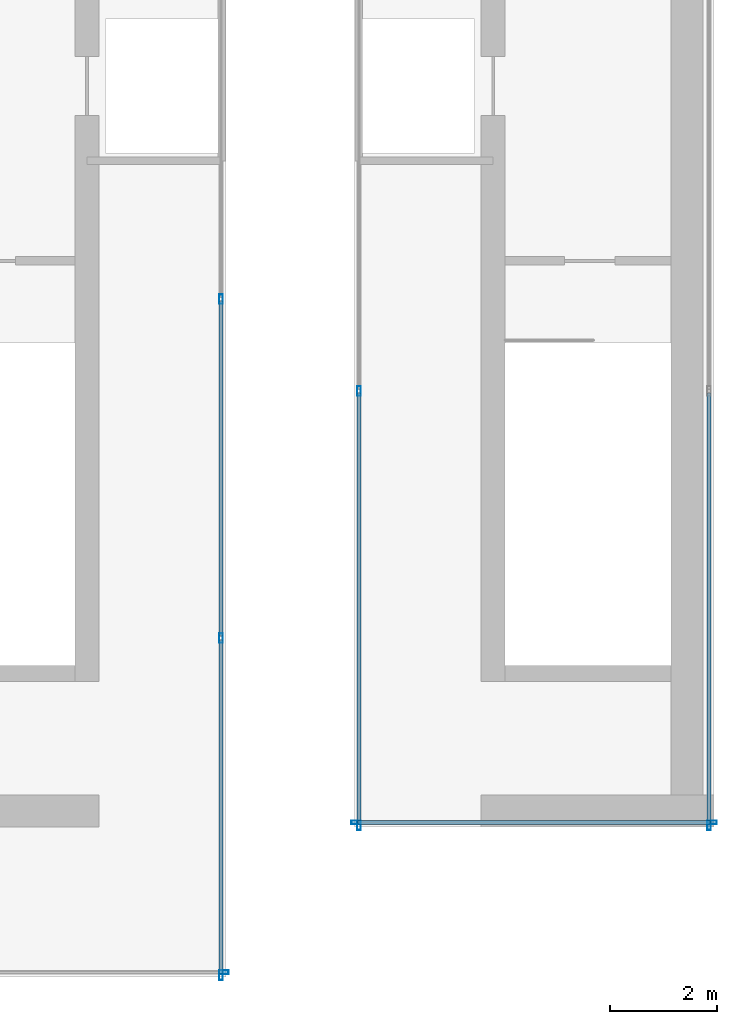
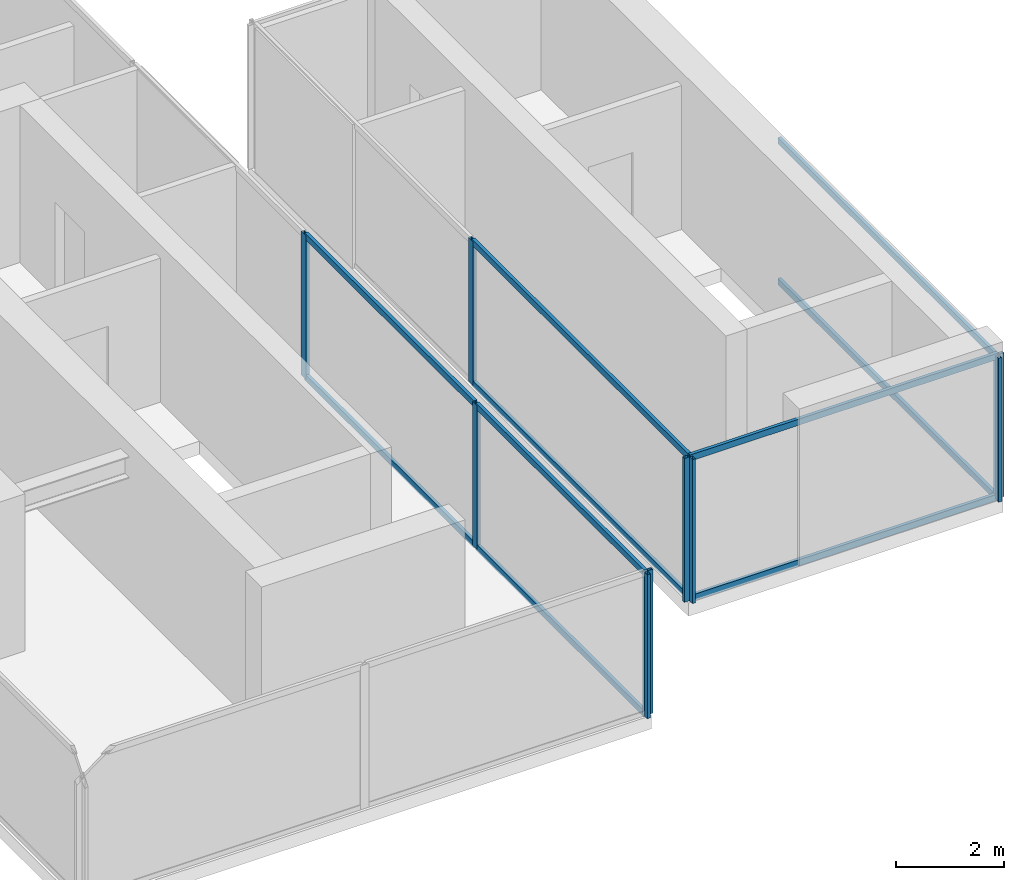
# One storey, part 5 of 16: 19 members, 5 elements without a shape of their own.
"""IFC4 building model written with IfcOpenShell, lengths in metres."""

from ifc_helpers import new_model, si_unit, direction, frame, origin, origin_2d, place, context, subcontext, project, spatial, hollow_rectangle, extrude, source, transform, mapped, material, material_profile, profile_set, type_object, type_shapes, element, aggregate, save


model = new_model("IFC4")

# Units and contexts
model_context = context("Model", 3, precision=1e-05, world=origin(), true_north=direction((0.0, 1.0)))
body_context = subcontext(model_context, "Body", "Model", "MODEL_VIEW")
ifc_project = project(units=[si_unit("LENGTHUNIT", "METRE"), si_unit("AREAUNIT", "SQUARE_METRE"), si_unit("VOLUMEUNIT", "CUBIC_METRE"), si_unit("PLANEANGLEUNIT", "RADIAN"), si_unit("MASSUNIT", "GRAM", prefix="KILO")], contexts=[model_context])

# Site, building, storey
site_placement = place(None, origin())
site = spatial("IfcSite", under=ifc_project, at=site_placement, CompositionType="ELEMENT")
building_placement = place(site_placement, origin())
building = spatial("IfcBuilding", under=site, at=building_placement, Name="Krantzveldt Concourse Tower", CompositionType="ELEMENT")
storey_placement = place(building_placement, frame((0.0, 0.0, 385.449951171875)))
storey = spatial("IfcBuildingStorey", under=building, at=storey_placement, Name="L95", CompositionType="ELEMENT", Elevation=385.449951171875)

# Curtain wall, members
ifc_material = material(Name="Anodised aluminium 6063-T6", Category="aluminium")
curtain_wall_type = type_object("IfcCurtainWallType", Name="CW7", PredefinedType="USERDEFINED", material=ifc_material)
curtain_wall_1_placement = place(storey_placement, origin())
curtain_wall_1 = element("IfcCurtainWall", 1, at=curtain_wall_1_placement, inside=storey, type_object=curtain_wall_type, Name="CW-L95-WEST-01", ObjectType="UNITISED CURTAIN WALL", PredefinedType="USERDEFINED")
ifc_material_profile_1 = material_profile(ifc_material, hollow_rectangle(XDim=0.070068359375, YDim=0.139892578125, WallThickness=0.0048828125, at=origin_2d()), Name="Anodised aluminium 6063-T6", Category="aluminium")
ifc_profile_set_1 = profile_set([ifc_material_profile_1], Name="Anodised aluminium 6063-T6 - ALU-TRAN 140x70x5")
member_type_1 = type_object("IfcMemberType", Name="CW-TRN-150", PredefinedType="USERDEFINED", material=ifc_profile_set_1)
shared_shape_1 = source(origin(), body_context, "Body", "SweptSolid", [
    extrude(hollow_rectangle(XDim=0.070068359375, YDim=0.139892578125, WallThickness=0.0048828125, at=origin_2d()), origin(), (0.0, 0.0, 1.0), 6.228271484375),
])
member_1_placement = place(storey_placement, frame((34.7099609375, 7.77001953125, 0.03515625), z_axis=(0.0, 1.0, 0.0), x_axis=(-1.0, 0.0, 0.0)))
member_1 = element("IfcMember", 2, at=member_1_placement, type_object=member_type_1, Name="CW-CRN transom 1.1", ObjectType="TRANSOM", PredefinedType="USERDEFINED", context=body_context, shape_type="MappedRepresentation", body=[
    mapped(shared_shape_1, transform((0.0, 0.0, 0.0), x_axis=(1.0, 0.0, 0.0), y_axis=(0.0, 1.0, 0.0), z_axis=(0.0, 0.0, 1.0), scale=1.0)),
])
member_2_placement = place(storey_placement, frame((34.7099609375, 7.77001953125, 3.215087890625), z_axis=(0.0, 1.0, 0.0), x_axis=(-1.0, 0.0, 0.0)))
member_2 = element("IfcMember", 3, at=member_2_placement, type_object=member_type_1, Name="CW-CRN transom 1.2", ObjectType="TRANSOM", PredefinedType="USERDEFINED", context=body_context, shape_type="MappedRepresentation", body=[
    mapped(shared_shape_1, transform((0.0, 0.0, 0.0), x_axis=(1.0, 0.0, 0.0), y_axis=(0.0, 1.0, 0.0), z_axis=(0.0, 0.0, 1.0), scale=1.0)),
])
shared_shape_2 = source(origin(), body_context, "Body", "SweptSolid", [
    extrude(hollow_rectangle(XDim=0.070068359375, YDim=0.139892578125, WallThickness=0.0048828125, at=origin_2d()), origin(), (0.0, 0.0, 1.0), 6.263427734375),
])
member_3_placement = place(storey_placement, frame((34.7099609375, 14.068359375, 0.03515625), z_axis=(0.0, 1.0, 0.0), x_axis=(-1.0, 0.0, 0.0)))
member_3 = element("IfcMember", 4, at=member_3_placement, type_object=member_type_1, Name="CW-CRN transom 2.1", ObjectType="TRANSOM", PredefinedType="USERDEFINED", context=body_context, shape_type="MappedRepresentation", body=[
    mapped(shared_shape_2, transform((0.0, 0.0, 0.0), x_axis=(1.0, 0.0, 0.0), y_axis=(0.0, 1.0, 0.0), z_axis=(0.0, 0.0, 1.0), scale=1.0)),
])
member_4_placement = place(storey_placement, frame((34.7099609375, 14.068359375, 3.215087890625), z_axis=(0.0, 1.0, 0.0), x_axis=(-1.0, 0.0, 0.0)))
member_4 = element("IfcMember", 5, at=member_4_placement, type_object=member_type_1, Name="CW-CRN transom 2.2", ObjectType="TRANSOM", PredefinedType="USERDEFINED", context=body_context, shape_type="MappedRepresentation", body=[
    mapped(shared_shape_2, transform((0.0, 0.0, 0.0), x_axis=(1.0, 0.0, 0.0), y_axis=(0.0, 1.0, 0.0), z_axis=(0.0, 0.0, 1.0), scale=1.0)),
])

curtain_wall_2_placement = place(storey_placement, origin())
curtain_wall_2 = element("IfcCurtainWall", 6, at=curtain_wall_2_placement, inside=storey, type_object=curtain_wall_type, Name="CW-L95-EAST-00", ObjectType="UNITISED CURTAIN WALL", PredefinedType="USERDEFINED")
shared_shape_3 = source(origin(), body_context, "Body", "SweptSolid", [
    extrude(hollow_rectangle(XDim=0.070068359375, YDim=0.139892578125, WallThickness=0.0048828125, at=origin_2d()), origin(), (0.0, 0.0, 1.0), 6.580078125),
])
member_5_placement = place(storey_placement, frame((37.27001953125, 10.590087890625, 0.03515625), z_axis=(1.0, 0.0, 0.0), x_axis=(0.0, 1.0, 0.0)))
member_5 = element("IfcMember", 7, at=member_5_placement, type_object=member_type_1, Name="CW-CRN transom 1.1", ObjectType="TRANSOM", PredefinedType="USERDEFINED", context=body_context, shape_type="MappedRepresentation", body=[
    mapped(shared_shape_3, transform((0.0, 0.0, 0.0), x_axis=(1.0, 0.0, 0.0), y_axis=(0.0, 1.0, 0.0), z_axis=(0.0, 0.0, 1.0), scale=1.0)),
])
member_6_placement = place(storey_placement, frame((37.27001953125, 10.590087890625, 3.215087890625), z_axis=(1.0, 0.0, 0.0), x_axis=(0.0, 1.0, 0.0)))
member_6 = element("IfcMember", 8, at=member_6_placement, type_object=member_type_1, Name="CW-CRN transom 1.2", ObjectType="TRANSOM", PredefinedType="USERDEFINED", context=body_context, shape_type="MappedRepresentation", body=[
    mapped(shared_shape_3, transform((0.0, 0.0, 0.0), x_axis=(1.0, 0.0, 0.0), y_axis=(0.0, 1.0, 0.0), z_axis=(0.0, 0.0, 1.0), scale=1.0)),
])

curtain_wall_3_placement = place(storey_placement, origin())
curtain_wall_3 = element("IfcCurtainWall", 9, at=curtain_wall_3_placement, inside=storey, type_object=curtain_wall_type, Name="CW-L95-EAST-01", ObjectType="UNITISED CURTAIN WALL", PredefinedType="USERDEFINED")
shared_shape_4 = source(origin(), body_context, "Body", "SweptSolid", [
    extrude(hollow_rectangle(XDim=0.070068359375, YDim=0.139892578125, WallThickness=0.0048828125, at=origin_2d()), origin(), (0.0, 0.0, 1.0), 8.044921875),
])
type_shapes(member_type_1, [shared_shape_1, shared_shape_2, shared_shape_3, shared_shape_4])
member_7_placement = place(storey_placement, frame((43.830078125, 10.570068359375, 0.03515625), z_axis=(0.0, 1.0, 0.0), x_axis=(-1.0, 0.0, 0.0)))
member_7 = element("IfcMember", 10, at=member_7_placement, type_object=member_type_1, Name="CW-CRN transom 1.1", ObjectType="TRANSOM", PredefinedType="USERDEFINED", context=body_context, shape_type="MappedRepresentation", body=[
    mapped(shared_shape_4, transform((0.0, 0.0, 0.0), x_axis=(1.0, 0.0, 0.0), y_axis=(0.0, 1.0, 0.0), z_axis=(0.0, 0.0, 1.0), scale=1.0)),
])
member_8_placement = place(storey_placement, frame((43.830078125, 10.570068359375, 3.215087890625), z_axis=(0.0, 1.0, 0.0), x_axis=(-1.0, 0.0, 0.0)))
member_8 = element("IfcMember", 11, at=member_8_placement, type_object=member_type_1, Name="CW-CRN transom 1.2", ObjectType="TRANSOM", PredefinedType="USERDEFINED", context=body_context, shape_type="MappedRepresentation", body=[
    mapped(shared_shape_4, transform((0.0, 0.0, 0.0), x_axis=(1.0, 0.0, 0.0), y_axis=(0.0, 1.0, 0.0), z_axis=(0.0, 0.0, 1.0), scale=1.0)),
])

curtain_wall_4_placement = place(storey_placement, origin())
curtain_wall_4 = element("IfcCurtainWall", 12, at=curtain_wall_4_placement, inside=storey, type_object=curtain_wall_type, Name="CW-L95-EAST-03", ObjectType="UNITISED CURTAIN WALL", PredefinedType="USERDEFINED")
member_9_placement = place(storey_placement, frame((37.2900390625, 18.614990234375, 0.03515625), z_axis=(0.0, -1.0, 0.0), x_axis=(1.0, 0.0, 0.0)))
member_9 = element("IfcMember", 13, at=member_9_placement, type_object=member_type_1, Name="CW-CRN transom 2.1", ObjectType="TRANSOM", PredefinedType="USERDEFINED", context=body_context, shape_type="MappedRepresentation", body=[
    mapped(shared_shape_4, transform((0.0, 0.0, 0.0), x_axis=(1.0, 0.0, 0.0), y_axis=(0.0, 1.0, 0.0), z_axis=(0.0, 0.0, 1.0), scale=1.0)),
])
member_10_placement = place(storey_placement, frame((37.2900390625, 18.614990234375, 3.215087890625), z_axis=(0.0, -1.0, 0.0), x_axis=(1.0, 0.0, 0.0)))
member_10 = element("IfcMember", 14, at=member_10_placement, type_object=member_type_1, Name="CW-CRN transom 2.2", ObjectType="TRANSOM", PredefinedType="USERDEFINED", context=body_context, shape_type="MappedRepresentation", body=[
    mapped(shared_shape_4, transform((0.0, 0.0, 0.0), x_axis=(1.0, 0.0, 0.0), y_axis=(0.0, 1.0, 0.0), z_axis=(0.0, 0.0, 1.0), scale=1.0)),
])

# Curtain wall, member
curtain_wall_5_placement = place(storey_placement, origin())
curtain_wall_5 = element("IfcCurtainWall", 15, at=curtain_wall_5_placement, inside=storey, type_object=curtain_wall_type, Name="CW-L95-WEST-00", ObjectType="UNITISED CURTAIN WALL", PredefinedType="USERDEFINED")
ifc_material_profile_2 = material_profile(ifc_material, hollow_rectangle(XDim=0.070068359375, YDim=0.179931640625, WallThickness=0.0048828125, at=origin_2d()), Name="Anodised aluminium 6063-T6", Category="aluminium")
ifc_profile_set_2 = profile_set([ifc_material_profile_2], Name="Anodised aluminium 6063-T6 - ALU-MULL 180x70x5")
member_type_2 = type_object("IfcMemberType", Name="CW-MUL-180", PredefinedType="MULLION", material=ifc_profile_set_2)
shared_shape_5 = source(origin(), body_context, "Body", "SweptSolid", [
    extrude(hollow_rectangle(XDim=0.070068359375, YDim=0.179931640625, WallThickness=0.0048828125, at=origin_2d()), origin(), (0.0, 0.0, 1.0), 3.25),
])
type_shapes(member_type_2, [shared_shape_5])
member_11_placement = place(storey_placement, frame((34.764892578125, 7.7900390625, 0.0), z_axis=(0.0, 0.0, 1.0), x_axis=(0.0, 1.0, 0.0)))
member_11 = element("IfcMember", 16, at=member_11_placement, type_object=member_type_2, Name="CW-CRN mullion 3", PredefinedType="MULLION", context=body_context, shape_type="MappedRepresentation", body=[
    mapped(shared_shape_5, transform((0.0, 0.0, 0.0), x_axis=(1.0, 0.0, 0.0), y_axis=(0.0, 1.0, 0.0), z_axis=(0.0, 0.0, 1.0), scale=1.0)),
])
aggregate(curtain_wall_5, [member_11])

# Member
member_12_placement = place(storey_placement, frame((34.7099609375, 7.735107421875, 0.0), z_axis=(0.0, 0.0, 1.0), x_axis=(-1.0, 0.0, 0.0)))
member_12 = element("IfcMember", 17, at=member_12_placement, type_object=member_type_2, Name="CW-CRN mullion 1", PredefinedType="MULLION", context=body_context, shape_type="MappedRepresentation", body=[
    mapped(shared_shape_5, transform((0.0, 0.0, 0.0), x_axis=(1.0, 0.0, 0.0), y_axis=(0.0, 1.0, 0.0), z_axis=(0.0, 0.0, 1.0), scale=1.0)),
])

member_13_placement = place(storey_placement, frame((34.7099609375, 14.033447265625, 0.0), z_axis=(0.0, 0.0, 1.0), x_axis=(-1.0, 0.0, 0.0)))
member_13 = element("IfcMember", 18, at=member_13_placement, type_object=member_type_2, Name="CW-CRN mullion 2", PredefinedType="MULLION", context=body_context, shape_type="MappedRepresentation", body=[
    mapped(shared_shape_5, transform((0.0, 0.0, 0.0), x_axis=(1.0, 0.0, 0.0), y_axis=(0.0, 1.0, 0.0), z_axis=(0.0, 0.0, 1.0), scale=1.0)),
])

member_14_placement = place(storey_placement, frame((34.7099609375, 20.36669921875, 0.0), z_axis=(0.0, 0.0, 1.0), x_axis=(-1.0, 0.0, 0.0)))
member_14 = element("IfcMember", 19, at=member_14_placement, type_object=member_type_2, Name="CW-CRN mullion 3", PredefinedType="MULLION", context=body_context, shape_type="MappedRepresentation", body=[
    mapped(shared_shape_5, transform((0.0, 0.0, 0.0), x_axis=(1.0, 0.0, 0.0), y_axis=(0.0, 1.0, 0.0), z_axis=(0.0, 0.0, 1.0), scale=1.0)),
])

aggregate(curtain_wall_1, [member_12, member_13, member_14, member_1, member_2, member_3, member_4])

member_15_placement = place(storey_placement, frame((37.235107421875, 10.590087890625, 0.0), z_axis=(0.0, 0.0, 1.0), x_axis=(0.0, 1.0, 0.0)))
member_15 = element("IfcMember", 20, at=member_15_placement, type_object=member_type_2, Name="CW-CRN mullion 1", PredefinedType="MULLION", context=body_context, shape_type="MappedRepresentation", body=[
    mapped(shared_shape_5, transform((0.0, 0.0, 0.0), x_axis=(1.0, 0.0, 0.0), y_axis=(0.0, 1.0, 0.0), z_axis=(0.0, 0.0, 1.0), scale=1.0)),
])

member_16_placement = place(storey_placement, frame((43.885009765625, 10.590087890625, 0.0), z_axis=(0.0, 0.0, 1.0), x_axis=(0.0, 1.0, 0.0)))
member_16 = element("IfcMember", 21, at=member_16_placement, type_object=member_type_2, Name="CW-CRN mullion 2", PredefinedType="MULLION", context=body_context, shape_type="MappedRepresentation", body=[
    mapped(shared_shape_5, transform((0.0, 0.0, 0.0), x_axis=(1.0, 0.0, 0.0), y_axis=(0.0, 1.0, 0.0), z_axis=(0.0, 0.0, 1.0), scale=1.0)),
])

aggregate(curtain_wall_2, [member_15, member_16, member_5, member_6])

member_17_placement = place(storey_placement, frame((43.830078125, 10.534912109375, 0.0), z_axis=(0.0, 0.0, 1.0), x_axis=(-1.0, 0.0, 0.0)))
member_17 = element("IfcMember", 22, at=member_17_placement, type_object=member_type_2, Name="CW-CRN mullion 1", PredefinedType="MULLION", context=body_context, shape_type="MappedRepresentation", body=[
    mapped(shared_shape_5, transform((0.0, 0.0, 0.0), x_axis=(1.0, 0.0, 0.0), y_axis=(0.0, 1.0, 0.0), z_axis=(0.0, 0.0, 1.0), scale=1.0)),
])

aggregate(curtain_wall_3, [member_17, member_7, member_8])

member_18_placement = place(storey_placement, frame((37.2900390625, 18.64990234375, 0.0), z_axis=(0.0, 0.0, 1.0), x_axis=(1.0, 0.0, 0.0)))
member_18 = element("IfcMember", 23, at=member_18_placement, type_object=member_type_2, Name="CW-CRN mullion 2", PredefinedType="MULLION", context=body_context, shape_type="MappedRepresentation", body=[
    mapped(shared_shape_5, transform((0.0, 0.0, 0.0), x_axis=(1.0, 0.0, 0.0), y_axis=(0.0, 1.0, 0.0), z_axis=(0.0, 0.0, 1.0), scale=1.0)),
])

member_19_placement = place(storey_placement, frame((37.2900390625, 10.534912109375, 0.0), z_axis=(0.0, 0.0, 1.0), x_axis=(1.0, 0.0, 0.0)))
member_19 = element("IfcMember", 24, at=member_19_placement, type_object=member_type_2, Name="CW-CRN mullion 3", PredefinedType="MULLION", context=body_context, shape_type="MappedRepresentation", body=[
    mapped(shared_shape_5, transform((0.0, 0.0, 0.0), x_axis=(1.0, 0.0, 0.0), y_axis=(0.0, 1.0, 0.0), z_axis=(0.0, 0.0, 1.0), scale=1.0)),
])

aggregate(curtain_wall_4, [member_18, member_19, member_9, member_10])

save(model, "model.ifc")
